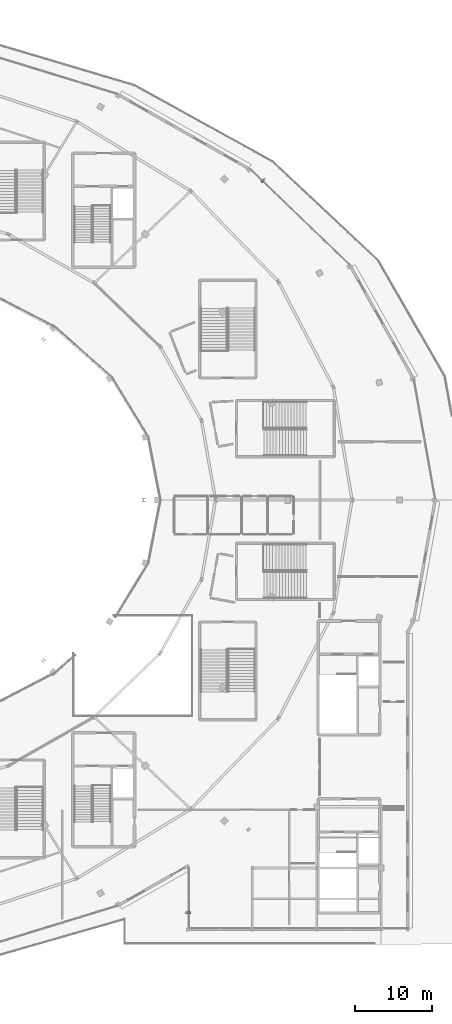
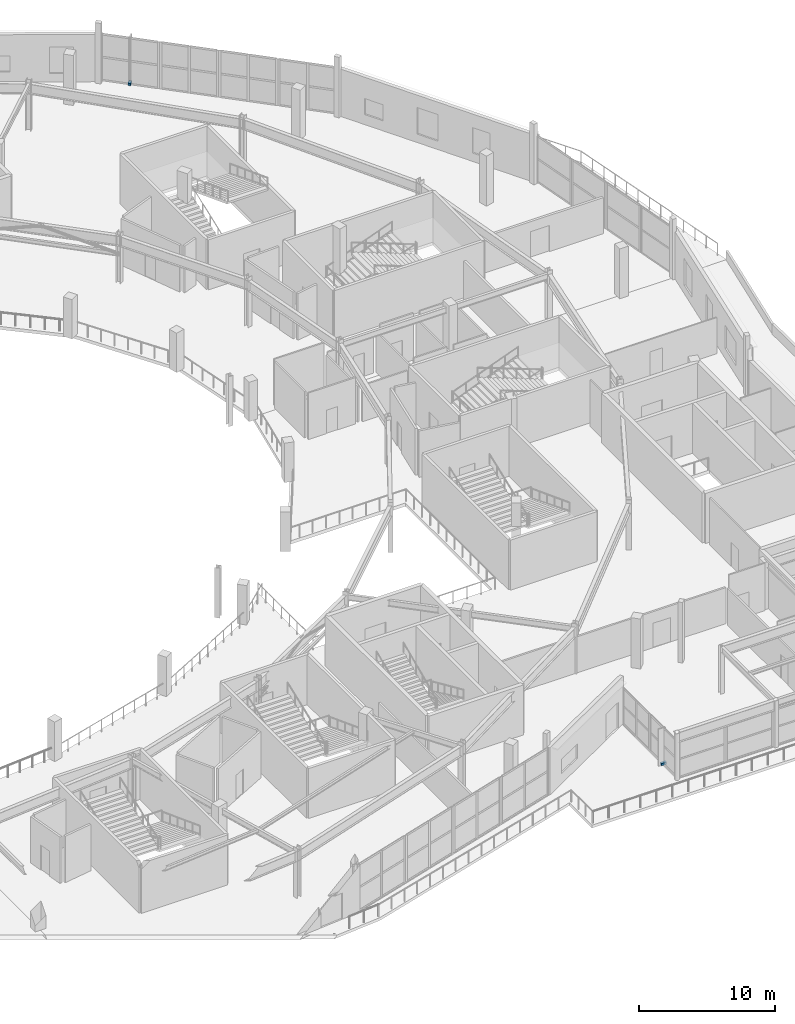
# One storey, part 100 of 123: 2 discrete accessories.
"""IFC4 building model written with IfcOpenShell, lengths in metres."""

import ifcopenshell
import ifcopenshell.guid

model = None  # the IFC model being written
_history = None  # IfcOwnerHistory: only IFC2X3 demands one
_inside = {}  # id of a spatial element -> (the spatial element, [elements in it])
_under = {}  # id of a project, library or spatial element -> (it, [spatial elements below it])
_declared = {}  # id of a project -> (the project, [libraries it declares])
_typed = {}  # id of a type object -> (the type object, [elements of that type])
_made_of = {}  # id of a material, layer set ... -> (it, [elements and type objects made of it])


def new_model(schema):
    """Start an empty IFC model of exactly this schema.

    Asked for "IFC4X3", IfcOpenShell would pick the latest addendum, in which some entities
    have other attributes; the version numbers below select the first issue.
    IFC2X3 requires an IfcOwnerHistory on every rooted entity: one is made here for all.
    """
    global model, _history
    if schema == "IFC4X3":
        model = ifcopenshell.file(schema_version=(4, 3, 0, 0))
    else:
        model = ifcopenshell.file(schema=schema)
    _inside.clear()
    _under.clear()
    _declared.clear()
    _typed.clear()
    _made_of.clear()
    _history = None
    if model.schema == "IFC2X3":
        org = make("IfcOrganization", Name="unknown")
        user = make(
            "IfcPersonAndOrganization",
            ThePerson=make("IfcPerson", FamilyName="unknown"),
            TheOrganization=org,
        )
        app = make(
            "IfcApplication",
            ApplicationDeveloper=org,
            Version="unknown",
            ApplicationFullName="unknown",
            ApplicationIdentifier="unknown",
        )
        _history = make(
            "IfcOwnerHistory",
            OwningUser=user,
            OwningApplication=app,
            ChangeAction="ADDED",
            CreationDate=0,
        )
    return model


def make(cls, **values):
    """One entity of the class cls with the attributes given. An attribute that is None is left unset."""
    return model.create_entity(
        cls, **{name: value for name, value in values.items() if value is not None}
    )


def rooted(cls, **values):
    """An entity with a GlobalId (a new one), such as an element, a storey or a relation."""
    return make(cls, GlobalId=ifcopenshell.guid.new(), OwnerHistory=_history, **values)


def si_unit(unit_type, name, prefix=None):
    """IfcSIUnit, for example si_unit("LENGTHUNIT", "METRE", prefix="MILLI")."""
    return make("IfcSIUnit", UnitType=unit_type, Prefix=prefix, Name=name)


def assignment(units):
    """IfcUnitAssignment: the units of a project."""
    return None if units is None else make("IfcUnitAssignment", Units=units)


def point(xyz):
    """IfcCartesianPoint."""
    return None if xyz is None else make("IfcCartesianPoint", Coordinates=xyz)


def direction(xyz):
    """IfcDirection."""
    return None if xyz is None else make("IfcDirection", DirectionRatios=xyz)


def frame(location, z_axis=None, x_axis=None):
    """IfcAxis2Placement3D, a coordinate frame: its origin and axes. An axis left out is left unset."""
    return make(
        "IfcAxis2Placement3D",
        Location=point(location),
        Axis=direction(z_axis),
        RefDirection=direction(x_axis),
    )


def frame_2d(location, x_axis=None):
    """IfcAxis2Placement2D, a coordinate frame in the plane: its origin and x axis."""
    return make(
        "IfcAxis2Placement2D", Location=point(location), RefDirection=direction(x_axis)
    )


def origin():
    """The frame at (0, 0, 0) with its axes left unset."""
    return frame((0.0, 0.0, 0.0))


def origin_2d():
    """The frame at (0, 0) in the plane with its x axis left unset."""
    return frame_2d((0.0, 0.0))


def place(relative_to, where):
    """IfcLocalPlacement: puts the frame where relative to a parent placement (None: the world)."""
    return make(
        "IfcLocalPlacement", PlacementRelTo=relative_to, RelativePlacement=where
    )


def context(
    kind, dimensions, precision=None, world=None, true_north=None, identifier=None
):
    """IfcGeometricRepresentationContext, for example the 3D "Model" context."""
    return make(
        "IfcGeometricRepresentationContext",
        ContextIdentifier=identifier,
        ContextType=kind,
        CoordinateSpaceDimension=dimensions,
        Precision=precision,
        WorldCoordinateSystem=world,
        TrueNorth=true_north,
    )


def subcontext(parent, identifier, kind, view, scale=None):
    """IfcGeometricRepresentationSubContext, for example "Body" below "Model"."""
    return make(
        "IfcGeometricRepresentationSubContext",
        ContextIdentifier=identifier,
        ContextType=kind,
        ParentContext=parent,
        TargetScale=scale,
        TargetView=view,
    )


def project(units=None, contexts=None):
    """IfcProject with its units and contexts."""
    return rooted(
        "IfcProject",
        Name="project",
        RepresentationContexts=contexts,
        UnitsInContext=assignment(units),
    )


def spatial(cls, under=None, at=None, **own):
    """A site, building, storey or space (cls), placed at a placement, below another one or the project."""
    s = rooted(cls, ObjectPlacement=at, **own)
    if under is not None:
        _under.setdefault(under.id(), (under, []))[1].append(s)
    return s


def profile(cls, at=None, kind="AREA", **sizes):
    """A parametric profile (cls). Its sizes go by their IFC names, for example OverallWidth=200.0."""
    return make(cls, ProfileType=kind, Position=at, **sizes)


def rectangle(**sizes):
    """IfcRectangleProfileDef."""
    return profile("IfcRectangleProfileDef", **sizes)


def extrude(swept, where, along, depth):
    """IfcExtrudedAreaSolid: the profile swept, set in the frame where, extruded along a direction by depth."""
    return make(
        "IfcExtrudedAreaSolid",
        SweptArea=swept,
        Position=where,
        ExtrudedDirection=direction(along),
        Depth=depth,
    )


def shape(context_of_items, identifier, shape_type, items):
    """IfcShapeRepresentation: the items that make up one representation, for example the "Body"."""
    return make(
        "IfcShapeRepresentation",
        ContextOfItems=context_of_items,
        RepresentationIdentifier=identifier,
        RepresentationType=shape_type,
        Items=items,
    )


def material(Name=None, Category=None):
    """IfcMaterial."""
    return make("IfcMaterial", Name=Name, Category=Category)


def made_of(thing, what):
    """Note that an element or type object is made of a material, layer set ...; save() writes the relation."""
    if what is not None:
        _made_of.setdefault(what.id(), (what, []))[1].append(thing)
    return thing


def type_object(cls, material=None, **own):
    """A type object (cls), such as IfcWallType, which elements share."""
    return made_of(rooted(cls, **own), material)


def element(
    cls,
    number,
    at=None,
    inside=None,
    cuts=None,
    type_object=None,
    material=None,
    context=None,
    identifier="Body",
    shape_type=None,
    held_by="IfcProductDefinitionShape",
    body=None,
    shapes=None,
    **own,
):
    """One element of the class cls, such as IfcWall. Its Tag is "e" and its number.

    at: its placement. inside: the storey or other place that contains it. cuts: it is an
    opening in that element (IfcRelVoidsElement). A single representation is given by context,
    identifier, shape_type and body (its items); several are given by shapes. held_by: the class
    of the entity that holds the representations. save() writes the other relations.
    """
    e = rooted(cls, Tag="e%d" % number, ObjectPlacement=at, **own)
    if body is not None:
        shapes = [shape(context, identifier, shape_type, body)]
    if shapes is not None:
        e.Representation = make(held_by, Representations=shapes)
    if inside is not None:
        _inside.setdefault(inside.id(), (inside, []))[1].append(e)
    if cuts is not None:
        rooted(
            "IfcRelVoidsElement", RelatingBuildingElement=cuts, RelatedOpeningElement=e
        )
    if type_object is not None:
        _typed.setdefault(type_object.id(), (type_object, []))[1].append(e)
    return made_of(e, material)


def aggregate(whole, parts):
    """IfcRelAggregates: a whole, such as a stair, and the parts it consists of."""
    return rooted("IfcRelAggregates", RelatingObject=whole, RelatedObjects=parts)


def save(model, path):
    """Write the relations noted so far, then the file.

    IfcRelAggregates (storeys below a building ...), IfcRelContainedInSpatialStructure (elements
    in a storey), IfcRelDefinesByType, IfcRelAssociatesMaterial and IfcRelDeclares: one each for
    every whole, place, type object, material and project.
    """
    for whole, parts in _under.values():
        aggregate(whole, parts)
    for where, things in _inside.values():
        rooted(
            "IfcRelContainedInSpatialStructure",
            RelatedElements=things,
            RelatingStructure=where,
        )
    for kind, things in _typed.values():
        rooted("IfcRelDefinesByType", RelatedObjects=things, RelatingType=kind)
    for what, things in _made_of.values():
        rooted("IfcRelAssociatesMaterial", RelatedObjects=things, RelatingMaterial=what)
    for by, libraries in _declared.values():
        rooted("IfcRelDeclares", RelatingContext=by, RelatedDefinitions=libraries)
    model.write(path)


model = new_model("IFC4")

# Units and contexts
model_context = context("Model", 3, precision=1e-05, world=origin(), true_north=direction((0.0, 1.0)))
body_context = subcontext(model_context, "Body", "Model", "MODEL_VIEW")
ifc_project = project(units=[si_unit("LENGTHUNIT", "METRE"), si_unit("AREAUNIT", "SQUARE_METRE"), si_unit("VOLUMEUNIT", "CUBIC_METRE"), si_unit("PLANEANGLEUNIT", "RADIAN"), si_unit("MASSUNIT", "GRAM", prefix="KILO")], contexts=[model_context])

# Site, building, storey
site_placement = place(None, origin())
site = spatial("IfcSite", under=ifc_project, at=site_placement, CompositionType="ELEMENT")
building_placement = place(site_placement, origin())
building = spatial("IfcBuilding", under=site, at=building_placement, Name="Kalgoora Escarpment Arena", CompositionType="ELEMENT")
storey_placement = place(building_placement, frame((0.0, 0.0, 9.89990234375)))
storey = spatial("IfcBuildingStorey", under=building, at=storey_placement, Name="L02", CompositionType="ELEMENT", Elevation=9.89990234375)

# Discrete accessories
ifc_material = material(Name="Structural steel Grade 350 (350 MPa)", Category="steel")
discrete_accessory_type = type_object("IfcDiscreteAccessoryType", Name="ACC-BRACKET-FIN", PredefinedType="BRACKET", material=ifc_material)
for number, where, z_axis, x_axis, name in (
    (1, (142.8798828125, 10.158935546875, 0.0), (0.0, 0.0, 1.0), (-1.0, 0.0, 0.0), "L02 solar fin support bracket 06"),
    (2, (152.5419921875, 105.628662109375, 0.0), (0.0, 0.0, 1.0), (0.693779012888, 0.720187948577, 0.0), "L02 solar fin support bracket 20"),
):
    element("IfcDiscreteAccessory", number, at=place(storey_placement, frame(where, z_axis=z_axis, x_axis=x_axis)), inside=storey, type_object=discrete_accessory_type, Name=name, PredefinedType="BRACKET", context=body_context, shape_type="SweptSolid", body=[
        extrude(rectangle(XDim=0.419921875, YDim=0.219970703125, at=origin_2d()), origin(), (0.0, 0.0, 1.0), 0.199951171875),
    ])

save(model, "model.ifc")
